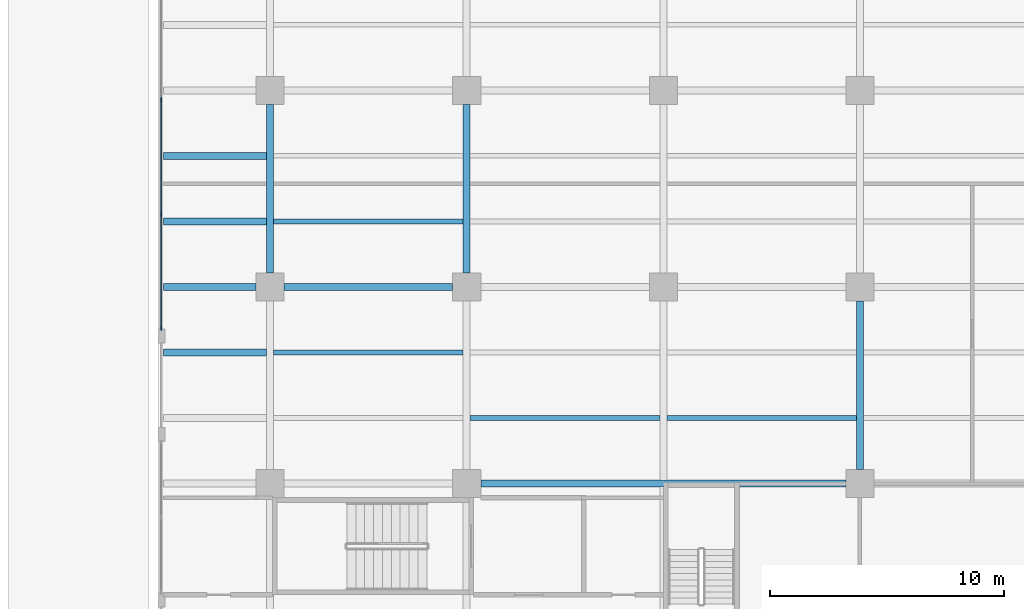
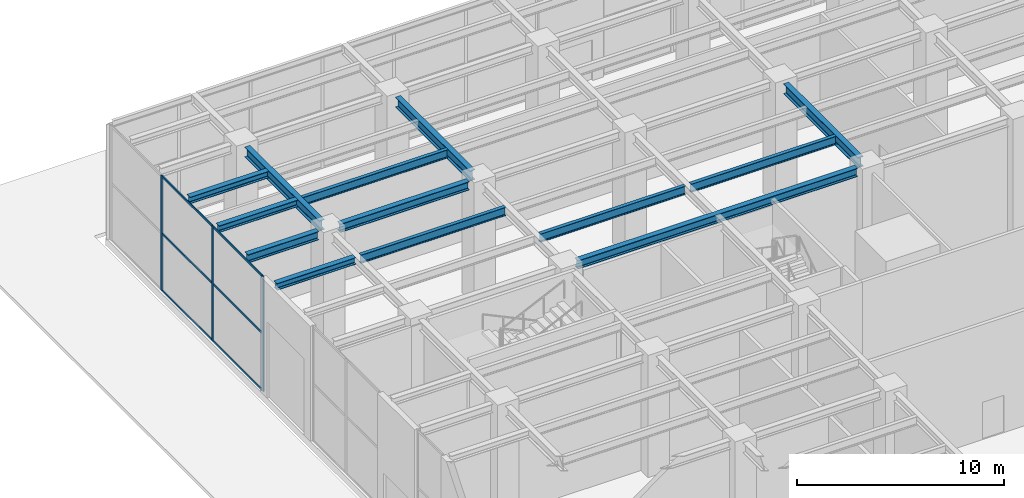
# One storey, part 16 of 43: 13 beams, 9 members, 1 element without a shape of its own.
"""IFC4 building model written with IfcOpenShell, lengths in metres."""

from ifc_helpers import new_model, si_unit, direction, frame, origin, origin_2d, place, context, subcontext, project, spatial, rectangle, i_section, extrude, material, material_profile, profile_set, type_object, element, aggregate, save


model = new_model("IFC4")

# Units and contexts
model_context = context("Model", 3, precision=1e-05, world=origin(), true_north=direction((0.0, 1.0)))
body_context = subcontext(model_context, "Body", "Model", "MODEL_VIEW")
ifc_project = project(units=[si_unit("LENGTHUNIT", "METRE"), si_unit("AREAUNIT", "SQUARE_METRE"), si_unit("VOLUMEUNIT", "CUBIC_METRE"), si_unit("PLANEANGLEUNIT", "RADIAN"), si_unit("MASSUNIT", "GRAM", prefix="KILO")], contexts=[model_context])

# Site, building, storey
site_placement = place(None, origin())
site = spatial("IfcSite", under=ifc_project, at=site_placement, CompositionType="ELEMENT")
building_placement = place(site_placement, origin())
building = spatial("IfcBuilding", under=site, at=building_placement, Name="Khepri Terraces", CompositionType="ELEMENT")
storey_placement = place(building_placement, origin())
storey = spatial("IfcBuildingStorey", under=building, at=storey_placement, Name="L00", CompositionType="ELEMENT", Elevation=0.0)

# Curtain wall, members
ifc_material_1 = material(Name="Anodised aluminium bronze curtain wall", Category="aluminium")
curtain_wall_type = type_object("IfcCurtainWallType", Name="CW-SYS1-LOBBY", PredefinedType="NOTDEFINED", material=ifc_material_1)
curtain_wall_placement = place(storey_placement, origin())
curtain_wall = element("IfcCurtainWall", 1, at=curtain_wall_placement, inside=storey, type_object=curtain_wall_type, Name="Curtain wall CW1 L00 W", PredefinedType="NOTDEFINED")
ifc_material_2 = material(Name="Anodised aluminium bronze", Category="aluminium")
ifc_material_profile_1 = material_profile(ifc_material_2, rectangle(XDim=0.06005859375, YDim=0.159912109375, at=origin_2d()), Name="Anodised aluminium bronze", Category="aluminium")
ifc_profile_set_1 = profile_set([ifc_material_profile_1], Name="Anodised aluminium bronze")
member_type_1 = type_object("IfcMemberType", Name="CW-MULLION-60x160", PredefinedType="MULLION", material=ifc_profile_set_1)
member_1_placement = place(storey_placement, frame((-46.64990234375, 41.60009765625, 0.0), z_axis=(0.0, 0.0, 1.0), x_axis=(1.0, 0.0, 0.0)))
member_1 = element("IfcMember", 2, at=member_1_placement, type_object=member_type_1, Name="CW1 mullion 2", PredefinedType="MULLION", context=body_context, shape_type="SweptSolid", body=[
    extrude(rectangle(XDim=0.06005859375, YDim=0.159912109375, at=origin_2d()), origin(), (0.0, 0.0, 1.0), 6.780029296875),
])
member_2_placement = place(storey_placement, frame((-46.64990234375, 36.699951171875, 0.0), z_axis=(0.0, 0.0, 1.0), x_axis=(1.0, 0.0, 0.0)))
member_2 = element("IfcMember", 3, at=member_2_placement, type_object=member_type_1, Name="CW1 mullion 3", PredefinedType="MULLION", context=body_context, shape_type="SweptSolid", body=[
    extrude(rectangle(XDim=0.06005859375, YDim=0.159912109375, at=origin_2d()), origin(), (0.0, 0.0, 1.0), 6.780029296875),
])
member_3_placement = place(storey_placement, frame((-46.64990234375, 31.830078125, 0.0), z_axis=(0.0, 0.0, 1.0), x_axis=(1.0, 0.0, 0.0)))
member_3 = element("IfcMember", 4, at=member_3_placement, type_object=member_type_1, Name="CW1 mullion 4", PredefinedType="MULLION", context=body_context, shape_type="SweptSolid", body=[
    extrude(rectangle(XDim=0.06005859375, YDim=0.159912109375, at=origin_2d()), origin(), (0.0, 0.0, 1.0), 6.780029296875),
])
ifc_material_profile_2 = material_profile(ifc_material_2, rectangle(XDim=0.06005859375, YDim=0.1201171875, at=origin_2d()), Name="Anodised aluminium bronze", Category="aluminium")
ifc_profile_set_2 = profile_set([ifc_material_profile_2], Name="Anodised aluminium bronze")
member_type_2 = type_object("IfcMemberType", Name="CW-TRANSOM-60x120", PredefinedType="USERDEFINED", material=ifc_profile_set_2)
member_4_placement = place(storey_placement, frame((-46.64990234375, 41.570068359375, 0.030029296875), z_axis=(0.0, -1.0, 0.0), x_axis=(1.0, 0.0, 0.0)))
member_4 = element("IfcMember", 5, at=member_4_placement, type_object=member_type_2, Name="CW1 transom 2.1", ObjectType="TRANSOM", PredefinedType="USERDEFINED", context=body_context, shape_type="SweptSolid", body=[
    extrude(rectangle(XDim=0.06005859375, YDim=0.1201171875, at=origin_2d()), origin(), (0.0, 0.0, 1.0), 4.840087890625),
])
member_5_placement = place(storey_placement, frame((-46.64990234375, 41.570068359375, 3.389892578125), z_axis=(0.0, -1.0, 0.0), x_axis=(1.0, 0.0, 0.0)))
member_5 = element("IfcMember", 6, at=member_5_placement, type_object=member_type_2, Name="CW1 transom 2.2", ObjectType="TRANSOM", PredefinedType="USERDEFINED", context=body_context, shape_type="SweptSolid", body=[
    extrude(rectangle(XDim=0.06005859375, YDim=0.1201171875, at=origin_2d()), origin(), (0.0, 0.0, 1.0), 4.840087890625),
])
member_6_placement = place(storey_placement, frame((-46.64990234375, 41.570068359375, 6.75), z_axis=(0.0, -1.0, 0.0), x_axis=(1.0, 0.0, 0.0)))
member_6 = element("IfcMember", 7, at=member_6_placement, type_object=member_type_2, Name="CW1 transom 2.3", ObjectType="TRANSOM", PredefinedType="USERDEFINED", context=body_context, shape_type="SweptSolid", body=[
    extrude(rectangle(XDim=0.06005859375, YDim=0.1201171875, at=origin_2d()), origin(), (0.0, 0.0, 1.0), 4.840087890625),
])
member_7_placement = place(storey_placement, frame((-46.64990234375, 36.669921875, 0.030029296875), z_axis=(0.0, -1.0, 0.0), x_axis=(1.0, 0.0, 0.0)))
member_7 = element("IfcMember", 8, at=member_7_placement, type_object=member_type_2, Name="CW1 transom 3.1", ObjectType="TRANSOM", PredefinedType="USERDEFINED", context=body_context, shape_type="SweptSolid", body=[
    extrude(rectangle(XDim=0.06005859375, YDim=0.1201171875, at=origin_2d()), origin(), (0.0, 0.0, 1.0), 4.809814453125),
])
member_8_placement = place(storey_placement, frame((-46.64990234375, 36.669921875, 3.389892578125), z_axis=(0.0, -1.0, 0.0), x_axis=(1.0, 0.0, 0.0)))
member_8 = element("IfcMember", 9, at=member_8_placement, type_object=member_type_2, Name="CW1 transom 3.2", ObjectType="TRANSOM", PredefinedType="USERDEFINED", context=body_context, shape_type="SweptSolid", body=[
    extrude(rectangle(XDim=0.06005859375, YDim=0.1201171875, at=origin_2d()), origin(), (0.0, 0.0, 1.0), 4.809814453125),
])
member_9_placement = place(storey_placement, frame((-46.64990234375, 36.669921875, 6.75), z_axis=(0.0, -1.0, 0.0), x_axis=(1.0, 0.0, 0.0)))
member_9 = element("IfcMember", 10, at=member_9_placement, type_object=member_type_2, Name="CW1 transom 3.3", ObjectType="TRANSOM", PredefinedType="USERDEFINED", context=body_context, shape_type="SweptSolid", body=[
    extrude(rectangle(XDim=0.06005859375, YDim=0.1201171875, at=origin_2d()), origin(), (0.0, 0.0, 1.0), 4.809814453125),
])
aggregate(curtain_wall, [member_1, member_2, member_3, member_4, member_5, member_6, member_7, member_8, member_9])

# Beams
ifc_material_3 = material(Name="Steel S355", Category="steel")
ifc_material_profile_3 = material_profile(ifc_material_3, i_section(OverallWidth=0.300048828125, OverallDepth=0.39990234375, WebThickness=0.013427734375, FlangeThickness=0.02392578125, FilletRadius=0.027099609375, at=origin_2d()), Name="Steel S355", Category="steel")
ifc_profile_set_3 = profile_set([ifc_material_profile_3], Name="Steel S355")
beam_type_1 = type_object("IfcBeamType", Name="Podium cantilever joist L01 HEB 400", PredefinedType="JOIST", material=ifc_profile_set_3)
for number, where, z_axis, x_axis, name in (
    (11, (-46.550048828125, 30.800048828125, 6.800048828125), (1.0, 0.0, 0.0), (0.0, 1.0, 0.0), "Podium cantilever joist L01 207"),
    (12, (-46.550048828125, 36.39990234375, 6.800048828125), (1.0, 0.0, 0.0), (0.0, 1.0, 0.0), "Podium cantilever joist L01 231"),
    (13, (-46.550048828125, 39.199951171875, 6.800048828125), (1.0, 0.0, 0.0), (0.0, 1.0, 0.0), "Podium cantilever joist L01 243"),
):
    element("IfcBeam", number, at=place(storey_placement, frame(where, z_axis=z_axis, x_axis=x_axis)), inside=storey, type_object=beam_type_1, Name=name, PredefinedType="JOIST", context=body_context, shape_type="SweptSolid", body=[
        extrude(i_section(OverallWidth=0.300048828125, OverallDepth=0.39990234375, WebThickness=0.013427734375, FlangeThickness=0.02392578125, FilletRadius=0.027099609375, at=origin_2d()), origin(), (0.0, 0.0, 1.0), 4.400146484375),
    ])
ifc_material_profile_4 = material_profile(ifc_material_3, i_section(OverallWidth=0.300048828125, OverallDepth=0.60009765625, WebThickness=0.015380859375, FlangeThickness=0.030029296875, FilletRadius=0.027099609375, at=origin_2d()), Name="Steel S355", Category="steel")
ifc_profile_set_4 = profile_set([ifc_material_profile_4], Name="Steel S355")
beam_type_2 = type_object("IfcBeamType", Name="Podium girder L01 HEB 600", PredefinedType="BEAM", material=ifc_profile_set_4)
for number, where, z_axis, x_axis, name in (
    (14, (-42.0, 34.199951171875, 6.699951171875), (0.0, 1.0, 0.0), (-1.0, 0.0, 0.0), "Podium girder L01 011"),
    (15, (-33.60009765625, 34.199951171875, 6.699951171875), (0.0, 1.0, 0.0), (-1.0, 0.0, 0.0), "Podium girder L01 023"),
    (16, (-16.800048828125, 25.800048828125, 6.699951171875), (0.0, 1.0, 0.0), (-1.0, 0.0, 0.0), "Podium girder L01 038"),
):
    element("IfcBeam", number, at=place(storey_placement, frame(where, z_axis=z_axis, x_axis=x_axis)), inside=storey, type_object=beam_type_2, Name=name, PredefinedType="BEAM", context=body_context, shape_type="SweptSolid", body=[
        extrude(i_section(OverallWidth=0.300048828125, OverallDepth=0.60009765625, WebThickness=0.015380859375, FlangeThickness=0.030029296875, FilletRadius=0.027099609375, at=origin_2d()), origin(), (0.0, 0.0, 1.0), 7.199951171875),
    ])
ifc_material_profile_5 = material_profile(ifc_material_3, i_section(OverallWidth=0.300048828125, OverallDepth=0.5, WebThickness=0.014404296875, FlangeThickness=0.028076171875, FilletRadius=0.027099609375, at=origin_2d()), Name="Steel S355", Category="steel")
ifc_profile_set_5 = profile_set([ifc_material_profile_5], Name="Steel S355")
beam_type_3 = type_object("IfcBeamType", Name="Podium girder L01 grid line HEB 500", PredefinedType="BEAM", material=ifc_profile_set_5)
beam_1_placement = place(storey_placement, frame((-33.0, 25.199951171875, 6.75), z_axis=(1.0, 0.0, 0.0), x_axis=(0.0, 1.0, 0.0)))
element("IfcBeam", 17, at=beam_1_placement, inside=storey, type_object=beam_type_3, Name="Podium grid-line girder L01 187", PredefinedType="BEAM", context=body_context, shape_type="SweptSolid", body=[
    extrude(i_section(OverallWidth=0.300048828125, OverallDepth=0.5, WebThickness=0.014404296875, FlangeThickness=0.028076171875, FilletRadius=0.027099609375, at=origin_2d()), origin(), (0.0, 0.0, 1.0), 15.60009765625),
])
beam_2_placement = place(storey_placement, frame((-46.550048828125, 33.60009765625, 6.75), z_axis=(1.0, 0.0, 0.0), x_axis=(0.0, 1.0, 0.0)))
element("IfcBeam", 18, at=beam_2_placement, inside=storey, type_object=beam_type_3, Name="Podium grid-line girder L01 219", PredefinedType="BEAM", context=body_context, shape_type="SweptSolid", body=[
    extrude(i_section(OverallWidth=0.300048828125, OverallDepth=0.5, WebThickness=0.014404296875, FlangeThickness=0.028076171875, FilletRadius=0.027099609375, at=origin_2d()), origin(), (0.0, 0.0, 1.0), 3.949951171875),
])
beam_3_placement = place(storey_placement, frame((-41.39990234375, 33.60009765625, 6.75), z_axis=(1.0, 0.0, 0.0), x_axis=(0.0, 1.0, 0.0)))
element("IfcBeam", 19, at=beam_3_placement, inside=storey, type_object=beam_type_3, Name="Podium grid-line girder L01 220", PredefinedType="BEAM", context=body_context, shape_type="SweptSolid", body=[
    extrude(i_section(OverallWidth=0.300048828125, OverallDepth=0.5, WebThickness=0.014404296875, FlangeThickness=0.028076171875, FilletRadius=0.027099609375, at=origin_2d()), origin(), (0.0, 0.0, 1.0), 7.199951171875),
])
ifc_material_profile_6 = material_profile(ifc_material_3, i_section(OverallWidth=0.199951171875, OverallDepth=0.5, WebThickness=0.01025390625, FlangeThickness=0.01611328125, FilletRadius=0.02099609375, at=origin_2d()), Name="Steel S355", Category="steel")
ifc_profile_set_6 = profile_set([ifc_material_profile_6], Name="Steel S355")
beam_type_4 = type_object("IfcBeamType", Name="Podium joist L01 IPE 500", PredefinedType="JOIST", material=ifc_profile_set_6)
beam_4_placement = place(storey_placement, frame((-33.449951171875, 28.0, 6.75), z_axis=(1.0, 0.0, 0.0), x_axis=(0.0, 1.0, 0.0)))
element("IfcBeam", 20, at=beam_4_placement, inside=storey, type_object=beam_type_4, Name="Podium joist L01 197", PredefinedType="JOIST", context=body_context, shape_type="SweptSolid", body=[
    extrude(i_section(OverallWidth=0.199951171875, OverallDepth=0.5, WebThickness=0.01025390625, FlangeThickness=0.01611328125, FilletRadius=0.02099609375, at=origin_2d()), origin(), (0.0, 0.0, 1.0), 8.099853515625),
])
for number, where, z_axis, x_axis, name in (
    (21, (-25.050048828125, 28.0, 6.75), (1.0, 0.0, 0.0), (0.0, 1.0, 0.0), "Podium joist L01 198"),
    (22, (-41.85009765625, 30.800048828125, 6.75), (1.0, 0.0, 0.0), (0.0, 1.0, 0.0), "Podium joist L01 208"),
    (23, (-41.85009765625, 36.39990234375, 6.75), (1.0, 0.0, 0.0), (0.0, 1.0, 0.0), "Podium joist L01 232"),
):
    element("IfcBeam", number, at=place(storey_placement, frame(where, z_axis=z_axis, x_axis=x_axis)), inside=storey, type_object=beam_type_4, Name=name, PredefinedType="JOIST", context=body_context, shape_type="SweptSolid", body=[
        extrude(i_section(OverallWidth=0.199951171875, OverallDepth=0.5, WebThickness=0.01025390625, FlangeThickness=0.01611328125, FilletRadius=0.02099609375, at=origin_2d()), origin(), (0.0, 0.0, 1.0), 8.10009765625),
    ])

save(model, "model.ifc")
